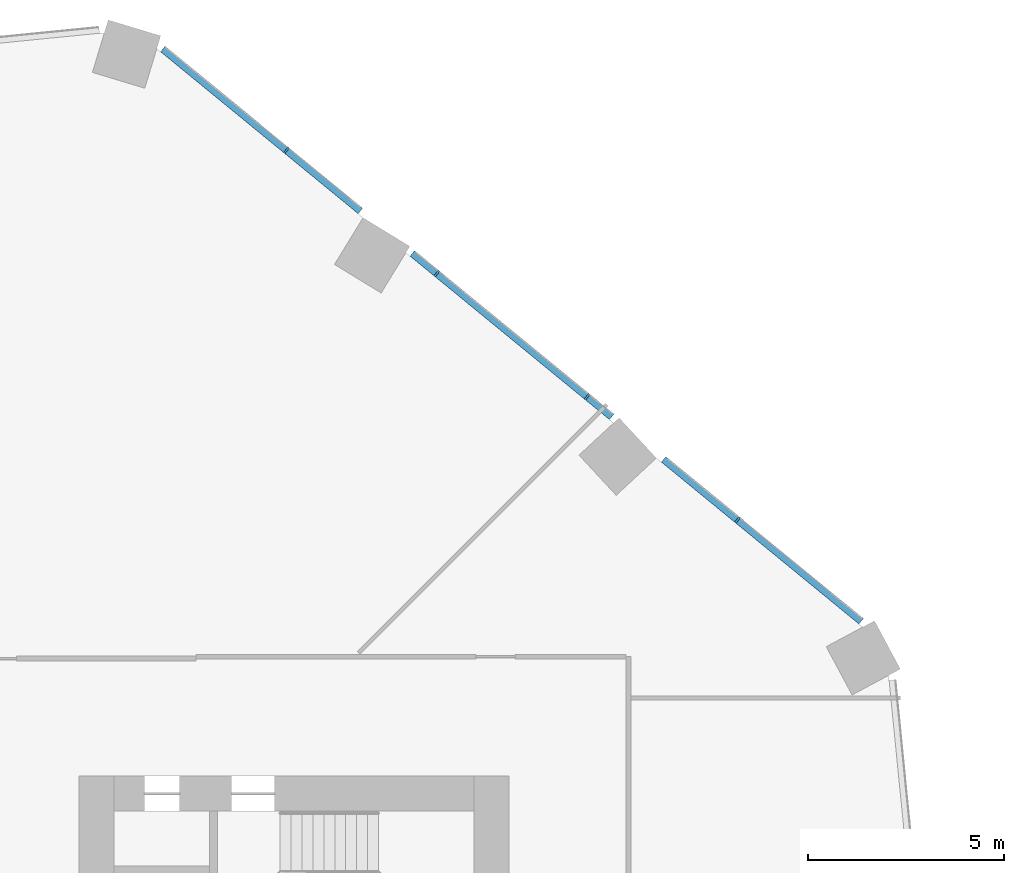
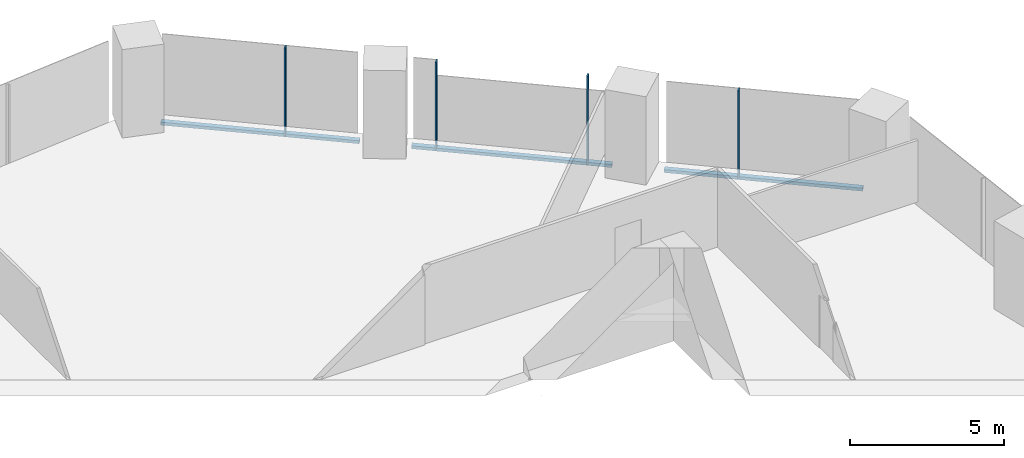
# One storey, part 14 of 33: 7 members, 1 element without a shape of its own.
"""IFC4 building model written with IfcOpenShell, lengths in metres."""

from ifc_helpers import new_model, si_unit, direction, frame, origin, origin_2d, place, context, subcontext, project, spatial, rectangle, extrude, material, material_profile, profile_set, type_object, element, aggregate, save


model = new_model("IFC4")

# Units and contexts
model_context = context("Model", 3, precision=1e-05, world=origin(), true_north=direction((0.0, 1.0)))
body_context = subcontext(model_context, "Body", "Model", "MODEL_VIEW")
ifc_project = project(units=[si_unit("LENGTHUNIT", "METRE"), si_unit("AREAUNIT", "SQUARE_METRE"), si_unit("VOLUMEUNIT", "CUBIC_METRE"), si_unit("PLANEANGLEUNIT", "RADIAN"), si_unit("MASSUNIT", "GRAM", prefix="KILO")], contexts=[model_context])

# Site, building, storey
site_placement = place(None, origin())
site = spatial("IfcSite", under=ifc_project, at=site_placement, CompositionType="ELEMENT")
building_placement = place(site_placement, origin())
building = spatial("IfcBuilding", under=site, at=building_placement, Name="Orlundy Tower", CompositionType="ELEMENT")
storey_placement = place(building_placement, frame((0.0, 0.0, 51.300048828125)))
storey = spatial("IfcBuildingStorey", under=building, at=storey_placement, Name="L11", CompositionType="ELEMENT", Elevation=51.300048828125)

# Curtain wall, members
ifc_material_1 = material(Name="Aluminium bronze anodised", Category="aluminium")
curtain_wall_type = type_object("IfcCurtainWallType", Name="CW1 wall", PredefinedType="NOTDEFINED", material=ifc_material_1)
curtain_wall_placement = place(storey_placement, origin())
curtain_wall = element("IfcCurtainWall", 1, at=curtain_wall_placement, inside=storey, type_object=curtain_wall_type, Name="CW1 run 04", PredefinedType="NOTDEFINED")
ifc_material_2 = material(Name="Aluminium bronze anodised", Category="aluminium")
ifc_material_profile_1 = material_profile(ifc_material_2, rectangle(XDim=0.179931640625, YDim=0.050048828125, at=origin_2d()), Name="CW1 mullion 50x180")
ifc_profile_set_1 = profile_set([ifc_material_profile_1], Name="Aluminium bronze anodised")
member_type_1 = type_object("IfcMemberType", Name="CW1 mullion 50x180", PredefinedType="MULLION", material=ifc_profile_set_1)
member_1_placement = place(storey_placement, frame((13.3046875, 27.999267578125, -0.420166015625), z_axis=(0.0, 0.0, 1.0), x_axis=(0.633818264458, 0.773482002143, 0.0)))
member_1 = element("IfcMember", 2, at=member_1_placement, type_object=member_type_1, Name="CW1 mullion 20", PredefinedType="MULLION", context=body_context, shape_type="SweptSolid", body=[
    extrude(rectangle(XDim=0.179931640625, YDim=0.050048828125, at=origin_2d()), origin(), (0.0, 0.0, 1.0), 3.52001953125),
])
member_2_placement = place(storey_placement, frame((17.149169921875, 24.848876953125, -0.420166015625), z_axis=(0.0, 0.0, 1.0), x_axis=(0.633818264458, 0.773482002143, 0.0)))
member_2 = element("IfcMember", 3, at=member_2_placement, type_object=member_type_1, Name="CW1 mullion 21", PredefinedType="MULLION", context=body_context, shape_type="SweptSolid", body=[
    extrude(rectangle(XDim=0.179931640625, YDim=0.050048828125, at=origin_2d()), origin(), (0.0, 0.0, 1.0), 3.52001953125),
])
member_3_placement = place(storey_placement, frame((20.993896484375, 21.698486328125, -0.420166015625), z_axis=(0.0, 0.0, 1.0), x_axis=(0.633818264458, 0.773482002143, 0.0)))
member_3 = element("IfcMember", 4, at=member_3_placement, type_object=member_type_1, Name="CW1 mullion 22", PredefinedType="MULLION", context=body_context, shape_type="SweptSolid", body=[
    extrude(rectangle(XDim=0.179931640625, YDim=0.050048828125, at=origin_2d()), origin(), (0.0, 0.0, 1.0), 3.52001953125),
])
member_4_placement = place(storey_placement, frame((24.83837890625, 18.548095703125, -0.420166015625), z_axis=(0.0, 0.0, 1.0), x_axis=(0.633818264458, 0.773482002143, 0.0)))
member_4 = element("IfcMember", 5, at=member_4_placement, type_object=member_type_1, Name="CW1 mullion 23", PredefinedType="MULLION", context=body_context, shape_type="SweptSolid", body=[
    extrude(rectangle(XDim=0.179931640625, YDim=0.050048828125, at=origin_2d()), origin(), (0.0, 0.0, 1.0), 3.52001953125),
])
ifc_material_3 = material(Name="Aluminium bronze anodised", Category="aluminium")
ifc_material_profile_2 = material_profile(ifc_material_3, rectangle(XDim=0.179931640625, YDim=0.1201171875, at=origin_2d()), Name="CW1 transom 180x120")
ifc_profile_set_2 = profile_set([ifc_material_profile_2], Name="Aluminium bronze anodised")
member_type_2 = type_object("IfcMemberType", Name="CW1 transom 180x120", PredefinedType="USERDEFINED", material=ifc_profile_set_2)
member_5_placement = place(storey_placement, frame((10.142822265625, 30.590087890625, -0.360107421875), z_axis=(0.773477422369, -0.633823853358, 0.0), x_axis=(0.633823853358, 0.773477422369, 0.0)))
member_5 = element("IfcMember", 6, at=member_5_placement, type_object=member_type_2, Name="CW1 transom", ObjectType="TRANSOM", PredefinedType="USERDEFINED", context=body_context, shape_type="SweptSolid", body=[
    extrude(rectangle(XDim=0.179931640625, YDim=0.1201171875, at=origin_2d()), origin(), (0.0, 0.0, 1.0), 6.53125),
])
member_6_placement = place(storey_placement, frame((16.52197265625, 25.36279296875, -0.360107421875), z_axis=(0.77347364966, -0.633828457298, 0.0), x_axis=(0.633828457298, 0.77347364966, 0.0)))
member_6 = element("IfcMember", 7, at=member_6_placement, type_object=member_type_2, Name="CW1 transom", ObjectType="TRANSOM", PredefinedType="USERDEFINED", context=body_context, shape_type="SweptSolid", body=[
    extrude(rectangle(XDim=0.179931640625, YDim=0.1201171875, at=origin_2d()), origin(), (0.0, 0.0, 1.0), 6.5927734375),
])
member_7_placement = place(storey_placement, frame((22.94873046875, 20.096435546875, -0.360107421875), z_axis=(0.773492438688, -0.633805527975, 0.0), x_axis=(0.633805527975, 0.773492438688, 0.0)))
member_7 = element("IfcMember", 8, at=member_7_placement, type_object=member_type_2, Name="CW1 transom", ObjectType="TRANSOM", PredefinedType="USERDEFINED", context=body_context, shape_type="SweptSolid", body=[
    extrude(rectangle(XDim=0.179931640625, YDim=0.1201171875, at=origin_2d()), origin(), (0.0, 0.0, 1.0), 6.531494140625),
])
aggregate(curtain_wall, [member_1, member_2, member_3, member_4, member_5, member_6, member_7])

save(model, "model.ifc")
